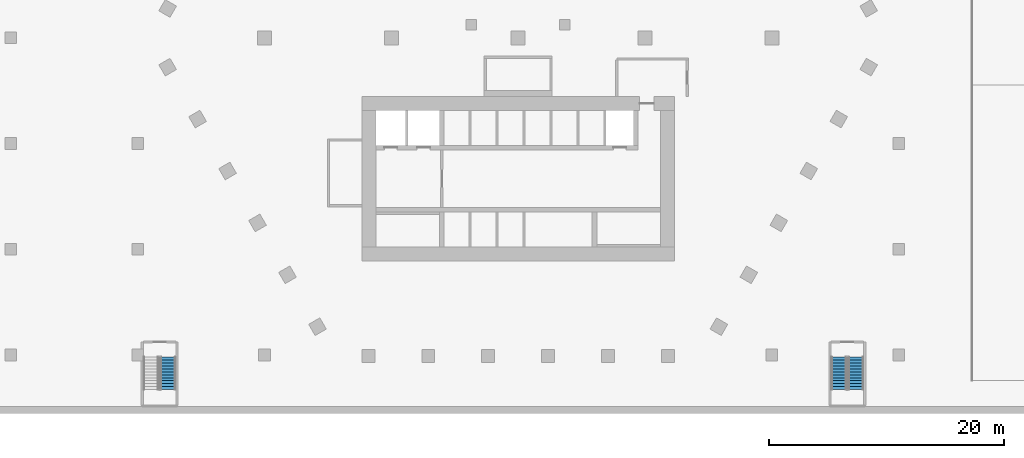
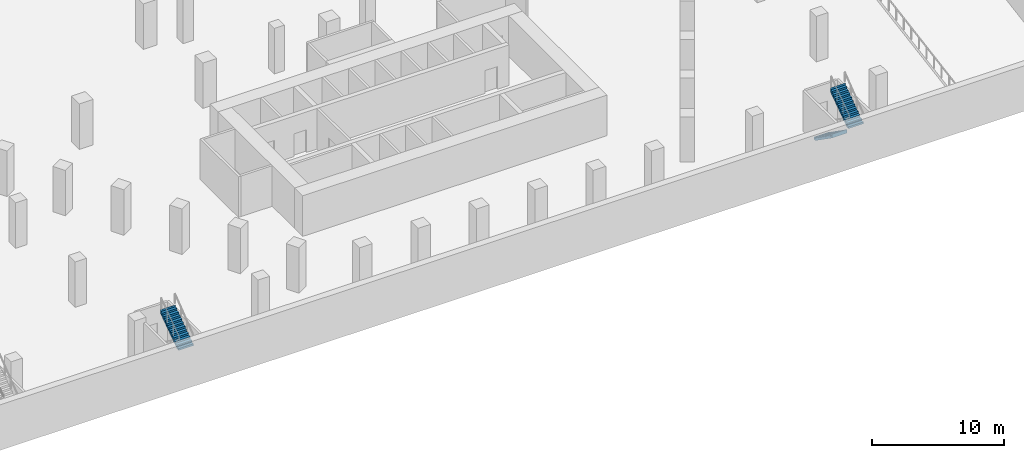
# One storey, part 12 of 20: 3 stair flights, 2 elements without a shape of their own.
"""IFC4 building model written with IfcOpenShell, lengths in metres."""

from ifc_helpers import new_model, si_unit, direction, frame, origin, place, context, subcontext, project, spatial, triangles, material, type_object, element, aggregate, save


model = new_model("IFC4")

# Units and contexts
model_context = context("Model", 3, precision=1e-05, world=origin(), true_north=direction((0.0, 1.0)))
body_context = subcontext(model_context, "Body", "Model", "MODEL_VIEW")
ifc_project = project(units=[si_unit("LENGTHUNIT", "METRE"), si_unit("AREAUNIT", "SQUARE_METRE"), si_unit("VOLUMEUNIT", "CUBIC_METRE"), si_unit("PLANEANGLEUNIT", "RADIAN"), si_unit("MASSUNIT", "GRAM", prefix="KILO")], contexts=[model_context])

# Site, building, storey
site_placement = place(None, origin())
site = spatial("IfcSite", under=ifc_project, at=site_placement, CompositionType="ELEMENT")
building_placement = place(site_placement, origin())
building = spatial("IfcBuilding", under=site, at=building_placement, Name="Beryl Residences", CompositionType="ELEMENT")
storey_placement = place(building_placement, frame((0.0, 0.0, -4.199951171875)))
storey = spatial("IfcBuildingStorey", under=building, at=storey_placement, Name="B1", CompositionType="ELEMENT", Elevation=-4.199951171875)

# Stair, stair flight
ifc_material_1 = material(Name="Concrete C40/50", Category="concrete")
stair_type = type_object("IfcStairType", Name="ST1 protected exit stair, half-turn, 1300 mm flights", PredefinedType="HALF_TURN_STAIR", material=ifc_material_1)
stair_1_placement = place(storey_placement, origin())
stair_1 = element("IfcStair", 1, at=stair_1_placement, inside=storey, type_object=stair_type, Name="B1 Basement exit stair 5", PredefinedType="HALF_TURN_STAIR")
ifc_material_2 = material(Name="Concrete C40/50", Category="concrete")
stair_flight_type = type_object("IfcStairFlightType", Name="SF1 stair flight 1300 mm", PredefinedType="STRAIGHT", material=ifc_material_2)
stair_flight_1_placement = place(storey_placement, frame((-29.800048828125, -29.949951171875, 2.099853515625), z_axis=(0.0, 0.0, 1.0), x_axis=(0.0, 1.0, 0.0)))
stair_flight_1 = element("IfcStairFlight", 2, at=stair_flight_1_placement, type_object=stair_flight_type, Name="BS-5 flight 2", NumberOfRisers=12, NumberOfTreads=11, PredefinedType="STRAIGHT", RiserHeight=0.175, TreadLength=0.25, context=body_context, shape_type="Tessellation", body=[
    triangles([(0.0, -0.64990234375, 0.0), (0.0, -0.324951171875, 0.0), (0.0, 0.0, 0.0), (0.0, 0.324951171875, 0.0), (0.0, 0.64990234375, 0.0), (0.0, -0.64990234375, 0.175048828125), (0.0, -0.324951171875, 0.175048828125), (0.0, 0.0, 0.175048828125), (0.0, 0.324951171875, 0.175048828125), (0.0, 0.64990234375, 0.175048828125), (0.25, -0.64990234375, 0.175048828125), (0.25, -0.324951171875, 0.175048828125), (0.25, 0.0, 0.175048828125), (0.25, 0.324951171875, 0.175048828125), (0.25, 0.64990234375, 0.175048828125), (0.25, -0.64990234375, 0.35009765625), (0.25, -0.324951171875, 0.35009765625), (0.25, 0.0, 0.35009765625), (0.25, 0.324951171875, 0.35009765625), (0.25, 0.64990234375, 0.35009765625), (0.5, -0.64990234375, 0.35009765625), (0.5, -0.324951171875, 0.35009765625), (0.5, 0.0, 0.35009765625), (0.5, 0.324951171875, 0.35009765625), (0.5, 0.64990234375, 0.35009765625), (0.5, -0.64990234375, 0.52490234375), (0.5, -0.324951171875, 0.52490234375), (0.5, 0.0, 0.52490234375), (0.5, 0.324951171875, 0.52490234375), (0.5, 0.64990234375, 0.52490234375), (0.75, -0.64990234375, 0.52490234375), (0.75, -0.324951171875, 0.52490234375), (0.75, 0.0, 0.52490234375), (0.75, 0.324951171875, 0.52490234375), (0.75, 0.64990234375, 0.52490234375), (0.75, -0.64990234375, 0.699951171875), (0.75, -0.324951171875, 0.699951171875), (0.75, 0.0, 0.699951171875), (0.75, 0.324951171875, 0.699951171875), (0.75, 0.64990234375, 0.699951171875), (1.0, -0.64990234375, 0.699951171875), (1.0, -0.324951171875, 0.699951171875), (1.0, 0.0, 0.699951171875), (1.0, 0.324951171875, 0.699951171875), (1.0, 0.64990234375, 0.699951171875), (1.0, -0.64990234375, 0.875), (1.0, -0.324951171875, 0.875), (1.0, 0.0, 0.875), (1.0, 0.324951171875, 0.875), (1.0, 0.64990234375, 0.875), (1.25, -0.64990234375, 0.875), (1.25, -0.324951171875, 0.875), (1.25, 0.0, 0.875), (1.25, 0.324951171875, 0.875), (1.25, 0.64990234375, 0.875), (1.25, -0.64990234375, 1.050048828125), (1.25, -0.324951171875, 1.050048828125), (1.25, 0.0, 1.050048828125), (1.25, 0.324951171875, 1.050048828125), (1.25, 0.64990234375, 1.050048828125), (1.5, -0.64990234375, 1.050048828125), (1.5, -0.324951171875, 1.050048828125), (1.5, 0.0, 1.050048828125), (1.5, 0.324951171875, 1.050048828125), (1.5, 0.64990234375, 1.050048828125), (1.5, -0.64990234375, 1.22509765625), (1.5, -0.324951171875, 1.22509765625), (1.5, 0.0, 1.22509765625), (1.5, 0.324951171875, 1.22509765625), (1.5, 0.64990234375, 1.22509765625), (1.75, -0.64990234375, 1.22509765625), (1.75, -0.324951171875, 1.22509765625), (1.75, 0.0, 1.22509765625), (1.75, 0.324951171875, 1.22509765625), (1.75, 0.64990234375, 1.22509765625), (1.75, -0.64990234375, 1.39990234375), (1.75, -0.324951171875, 1.39990234375), (1.75, 0.0, 1.39990234375), (1.75, 0.324951171875, 1.39990234375), (1.75, 0.64990234375, 1.39990234375), (2.0, -0.64990234375, 1.39990234375), (2.0, -0.324951171875, 1.39990234375), (2.0, 0.0, 1.39990234375), (2.0, 0.324951171875, 1.39990234375), (2.0, 0.64990234375, 1.39990234375), (2.0, -0.64990234375, 1.574951171875), (2.0, -0.324951171875, 1.574951171875), (2.0, 0.0, 1.574951171875), (2.0, 0.324951171875, 1.574951171875), (2.0, 0.64990234375, 1.574951171875), (2.25, -0.64990234375, 1.574951171875), (2.25, -0.324951171875, 1.574951171875), (2.25, 0.0, 1.574951171875), (2.25, 0.324951171875, 1.574951171875), (2.25, 0.64990234375, 1.574951171875), (2.25, -0.64990234375, 1.75), (2.25, -0.324951171875, 1.75), (2.25, 0.0, 1.75), (2.25, 0.324951171875, 1.75), (2.25, 0.64990234375, 1.75), (2.5, -0.64990234375, 1.75), (2.5, -0.324951171875, 1.75), (2.5, 0.0, 1.75), (2.5, 0.324951171875, 1.75), (2.5, 0.64990234375, 1.75), (2.5, -0.64990234375, 1.925048828125), (2.5, -0.324951171875, 1.925048828125), (2.5, 0.0, 1.925048828125), (2.5, 0.324951171875, 1.925048828125), (2.5, 0.64990234375, 1.925048828125), (2.75, -0.64990234375, 1.925048828125), (2.75, -0.324951171875, 1.925048828125), (2.75, 0.0, 1.925048828125), (2.75, 0.324951171875, 1.925048828125), (2.75, 0.64990234375, 1.925048828125), (2.75, -0.64990234375, 2.10009765625), (2.75, -0.324951171875, 2.10009765625), (2.75, 0.0, 2.10009765625), (2.75, 0.324951171875, 2.10009765625), (2.75, 0.64990234375, 2.10009765625), (2.7509765625, -0.64990234375, 2.10009765625), (2.7509765625, -0.324951171875, 2.10009765625), (2.7509765625, 0.0, 2.10009765625), (2.7509765625, 0.324951171875, 2.10009765625), (2.7509765625, 0.64990234375, 2.10009765625), (2.7509765625, -0.64990234375, 1.741943359375), (2.7509765625, -0.324951171875, 1.741943359375), (2.7509765625, 0.0, 1.741943359375), (2.7509765625, 0.324951171875, 1.741943359375), (2.7509765625, 0.64990234375, 1.741943359375), (0.262451171875, -0.64990234375, 0.0), (0.262451171875, -0.324951171875, 0.0), (0.262451171875, 0.0, 0.0), (0.262451171875, 0.324951171875, 0.0), (0.262451171875, 0.64990234375, 0.0)], [[1, 6, 7], [1, 7, 2], [2, 7, 8], [2, 8, 3], [3, 8, 9], [3, 9, 4], [4, 9, 10], [4, 10, 5], [6, 11, 12], [6, 12, 7], [7, 12, 13], [7, 13, 8], [8, 13, 14], [8, 14, 9], [9, 14, 15], [9, 15, 10], [11, 16, 17], [11, 17, 12], [12, 17, 18], [12, 18, 13], [13, 18, 19], [13, 19, 14], [14, 19, 20], [14, 20, 15], [16, 21, 22], [16, 22, 17], [17, 22, 23], [17, 23, 18], [18, 23, 24], [18, 24, 19], [19, 24, 25], [19, 25, 20], [21, 26, 27], [21, 27, 22], [22, 27, 28], [22, 28, 23], [23, 28, 29], [23, 29, 24], [24, 29, 30], [24, 30, 25], [26, 31, 32], [26, 32, 27], [27, 32, 33], [27, 33, 28], [28, 33, 34], [28, 34, 29], [29, 34, 35], [29, 35, 30], [31, 36, 37], [31, 37, 32], [32, 37, 38], [32, 38, 33], [33, 38, 39], [33, 39, 34], [34, 39, 40], [34, 40, 35], [36, 41, 42], [36, 42, 37], [37, 42, 43], [37, 43, 38], [38, 43, 44], [38, 44, 39], [39, 44, 45], [39, 45, 40], [41, 46, 47], [41, 47, 42], [42, 47, 48], [42, 48, 43], [43, 48, 49], [43, 49, 44], [44, 49, 50], [44, 50, 45], [46, 51, 52], [46, 52, 47], [47, 52, 53], [47, 53, 48], [48, 53, 54], [48, 54, 49], [49, 54, 55], [49, 55, 50], [51, 56, 57], [51, 57, 52], [52, 57, 58], [52, 58, 53], [53, 58, 59], [53, 59, 54], [54, 59, 60], [54, 60, 55], [56, 61, 62], [56, 62, 57], [57, 62, 63], [57, 63, 58], [58, 63, 64], [58, 64, 59], [59, 64, 65], [59, 65, 60], [61, 66, 67], [61, 67, 62], [62, 67, 68], [62, 68, 63], [63, 68, 69], [63, 69, 64], [64, 69, 70], [64, 70, 65], [66, 71, 72], [66, 72, 67], [67, 72, 73], [67, 73, 68], [68, 73, 74], [68, 74, 69], [69, 74, 75], [69, 75, 70], [71, 76, 77], [71, 77, 72], [72, 77, 78], [72, 78, 73], [73, 78, 79], [73, 79, 74], [74, 79, 80], [74, 80, 75], [76, 81, 82], [76, 82, 77], [77, 82, 83], [77, 83, 78], [78, 83, 84], [78, 84, 79], [79, 84, 85], [79, 85, 80], [81, 86, 87], [81, 87, 82], [82, 87, 88], [82, 88, 83], [83, 88, 89], [83, 89, 84], [84, 89, 90], [84, 90, 85], [86, 91, 92], [86, 92, 87], [87, 92, 93], [87, 93, 88], [88, 93, 94], [88, 94, 89], [89, 94, 95], [89, 95, 90], [91, 96, 97], [91, 97, 92], [92, 97, 98], [92, 98, 93], [93, 98, 99], [93, 99, 94], [94, 99, 100], [94, 100, 95], [96, 101, 102], [96, 102, 97], [97, 102, 103], [97, 103, 98], [98, 103, 104], [98, 104, 99], [99, 104, 105], [99, 105, 100], [101, 106, 107], [101, 107, 102], [102, 107, 108], [102, 108, 103], [103, 108, 109], [103, 109, 104], [104, 109, 110], [104, 110, 105], [106, 111, 112], [106, 112, 107], [107, 112, 113], [107, 113, 108], [108, 113, 114], [108, 114, 109], [109, 114, 115], [109, 115, 110], [111, 116, 117], [111, 117, 112], [112, 117, 118], [112, 118, 113], [113, 118, 119], [113, 119, 114], [114, 119, 120], [114, 120, 115], [116, 121, 122], [116, 122, 117], [117, 122, 123], [117, 123, 118], [118, 123, 124], [118, 124, 119], [119, 124, 125], [119, 125, 120], [121, 126, 127], [121, 127, 122], [122, 127, 128], [122, 128, 123], [123, 128, 129], [123, 129, 124], [124, 129, 130], [124, 130, 125], [126, 131, 132], [126, 132, 127], [127, 132, 133], [127, 133, 128], [128, 133, 134], [128, 134, 129], [129, 134, 135], [129, 135, 130], [131, 1, 2], [131, 2, 132], [132, 2, 3], [132, 3, 133], [133, 3, 4], [133, 4, 134], [134, 4, 5], [134, 5, 135], [1, 131, 126], [5, 130, 135], [126, 121, 116], [130, 120, 125], [126, 116, 111], [130, 115, 120], [126, 111, 106], [130, 110, 115], [126, 106, 101], [130, 105, 110], [126, 101, 96], [130, 100, 105], [126, 96, 91], [130, 95, 100], [91, 86, 81], [95, 85, 90], [126, 91, 81], [130, 85, 95], [81, 76, 71], [85, 75, 80], [126, 81, 71], [130, 75, 85], [71, 66, 61], [75, 65, 70], [126, 71, 61], [130, 65, 75], [61, 56, 51], [65, 55, 60], [126, 61, 51], [130, 55, 65], [51, 46, 41], [55, 45, 50], [126, 51, 41], [130, 45, 55], [41, 36, 31], [45, 35, 40], [126, 41, 31], [130, 35, 45], [1, 126, 31], [5, 35, 130], [31, 26, 21], [35, 25, 30], [21, 16, 11], [25, 15, 20], [31, 21, 11], [35, 15, 25], [1, 31, 11], [5, 15, 35], [11, 6, 1], [15, 5, 10]], closed=True),
])
aggregate(stair_1, [stair_flight_1])

# Stair, stair flights
stair_2_placement = place(storey_placement, origin())
stair_2 = element("IfcStair", 3, at=stair_2_placement, inside=storey, type_object=stair_type, Name="B1 Basement exit stair 6", PredefinedType="HALF_TURN_STAIR")
stair_flight_2_placement = place(storey_placement, frame((27.300048828125, -27.199951171875, 0.0), z_axis=(0.0, 0.0, 1.0), x_axis=(0.0, -1.0, 0.0)))
stair_flight_2 = element("IfcStairFlight", 4, at=stair_flight_2_placement, type_object=stair_flight_type, Name="BS-6 flight 1", NumberOfRisers=12, NumberOfTreads=11, PredefinedType="STRAIGHT", RiserHeight=0.175, TreadLength=0.25, context=body_context, shape_type="Tessellation", body=[
    triangles([(0.0, -0.64990234375, 0.0), (0.0, -0.324951171875, 0.0), (0.0, 0.0, 0.0), (0.0, 0.324951171875, 0.0), (0.0, 0.64990234375, 0.0), (0.0, -0.64990234375, 0.175048828125), (0.0, -0.324951171875, 0.175048828125), (0.0, 0.0, 0.175048828125), (0.0, 0.324951171875, 0.175048828125), (0.0, 0.64990234375, 0.175048828125), (0.25, -0.64990234375, 0.175048828125), (0.25, -0.324951171875, 0.175048828125), (0.25, 0.0, 0.175048828125), (0.25, 0.324951171875, 0.175048828125), (0.25, 0.64990234375, 0.175048828125), (0.25, -0.64990234375, 0.35009765625), (0.25, -0.324951171875, 0.35009765625), (0.25, 0.0, 0.35009765625), (0.25, 0.324951171875, 0.35009765625), (0.25, 0.64990234375, 0.35009765625), (0.5, -0.64990234375, 0.35009765625), (0.5, -0.324951171875, 0.35009765625), (0.5, 0.0, 0.35009765625), (0.5, 0.324951171875, 0.35009765625), (0.5, 0.64990234375, 0.35009765625), (0.5, -0.64990234375, 0.52490234375), (0.5, -0.324951171875, 0.52490234375), (0.5, 0.0, 0.52490234375), (0.5, 0.324951171875, 0.52490234375), (0.5, 0.64990234375, 0.52490234375), (0.75, -0.64990234375, 0.52490234375), (0.75, -0.324951171875, 0.52490234375), (0.75, 0.0, 0.52490234375), (0.75, 0.324951171875, 0.52490234375), (0.75, 0.64990234375, 0.52490234375), (0.75, -0.64990234375, 0.699951171875), (0.75, -0.324951171875, 0.699951171875), (0.75, 0.0, 0.699951171875), (0.75, 0.324951171875, 0.699951171875), (0.75, 0.64990234375, 0.699951171875), (1.0, -0.64990234375, 0.699951171875), (1.0, -0.324951171875, 0.699951171875), (1.0, 0.0, 0.699951171875), (1.0, 0.324951171875, 0.699951171875), (1.0, 0.64990234375, 0.699951171875), (1.0, -0.64990234375, 0.875), (1.0, -0.324951171875, 0.875), (1.0, 0.0, 0.875), (1.0, 0.324951171875, 0.875), (1.0, 0.64990234375, 0.875), (1.25, -0.64990234375, 0.875), (1.25, -0.324951171875, 0.875), (1.25, 0.0, 0.875), (1.25, 0.324951171875, 0.875), (1.25, 0.64990234375, 0.875), (1.25, -0.64990234375, 1.050048828125), (1.25, -0.324951171875, 1.050048828125), (1.25, 0.0, 1.050048828125), (1.25, 0.324951171875, 1.050048828125), (1.25, 0.64990234375, 1.050048828125), (1.5, -0.64990234375, 1.050048828125), (1.5, -0.324951171875, 1.050048828125), (1.5, 0.0, 1.050048828125), (1.5, 0.324951171875, 1.050048828125), (1.5, 0.64990234375, 1.050048828125), (1.5, -0.64990234375, 1.22509765625), (1.5, -0.324951171875, 1.22509765625), (1.5, 0.0, 1.22509765625), (1.5, 0.324951171875, 1.22509765625), (1.5, 0.64990234375, 1.22509765625), (1.75, -0.64990234375, 1.22509765625), (1.75, -0.324951171875, 1.22509765625), (1.75, 0.0, 1.22509765625), (1.75, 0.324951171875, 1.22509765625), (1.75, 0.64990234375, 1.22509765625), (1.75, -0.64990234375, 1.39990234375), (1.75, -0.324951171875, 1.39990234375), (1.75, 0.0, 1.39990234375), (1.75, 0.324951171875, 1.39990234375), (1.75, 0.64990234375, 1.39990234375), (2.0, -0.64990234375, 1.39990234375), (2.0, -0.324951171875, 1.39990234375), (2.0, 0.0, 1.39990234375), (2.0, 0.324951171875, 1.39990234375), (2.0, 0.64990234375, 1.39990234375), (2.0, -0.64990234375, 1.574951171875), (2.0, -0.324951171875, 1.574951171875), (2.0, 0.0, 1.574951171875), (2.0, 0.324951171875, 1.574951171875), (2.0, 0.64990234375, 1.574951171875), (2.25, -0.64990234375, 1.574951171875), (2.25, -0.324951171875, 1.574951171875), (2.25, 0.0, 1.574951171875), (2.25, 0.324951171875, 1.574951171875), (2.25, 0.64990234375, 1.574951171875), (2.25, -0.64990234375, 1.75), (2.25, -0.324951171875, 1.75), (2.25, 0.0, 1.75), (2.25, 0.324951171875, 1.75), (2.25, 0.64990234375, 1.75), (2.5, -0.64990234375, 1.75), (2.5, -0.324951171875, 1.75), (2.5, 0.0, 1.75), (2.5, 0.324951171875, 1.75), (2.5, 0.64990234375, 1.75), (2.5, -0.64990234375, 1.925048828125), (2.5, -0.324951171875, 1.925048828125), (2.5, 0.0, 1.925048828125), (2.5, 0.324951171875, 1.925048828125), (2.5, 0.64990234375, 1.925048828125), (2.75, -0.64990234375, 1.925048828125), (2.75, -0.324951171875, 1.925048828125), (2.75, 0.0, 1.925048828125), (2.75, 0.324951171875, 1.925048828125), (2.75, 0.64990234375, 1.925048828125), (2.75, -0.64990234375, 2.10009765625), (2.75, -0.324951171875, 2.10009765625), (2.75, 0.0, 2.10009765625), (2.75, 0.324951171875, 2.10009765625), (2.75, 0.64990234375, 2.10009765625), (2.7509765625, -0.64990234375, 2.10009765625), (2.7509765625, -0.324951171875, 2.10009765625), (2.7509765625, 0.0, 2.10009765625), (2.7509765625, 0.324951171875, 2.10009765625), (2.7509765625, 0.64990234375, 2.10009765625), (2.7509765625, -0.64990234375, 1.741943359375), (2.7509765625, -0.324951171875, 1.741943359375), (2.7509765625, 0.0, 1.741943359375), (2.7509765625, 0.324951171875, 1.741943359375), (2.7509765625, 0.64990234375, 1.741943359375), (0.262451171875, -0.64990234375, 0.0), (0.262451171875, -0.324951171875, 0.0), (0.262451171875, 0.0, 0.0), (0.262451171875, 0.324951171875, 0.0), (0.262451171875, 0.64990234375, 0.0)], [[1, 6, 7], [1, 7, 2], [2, 7, 8], [2, 8, 3], [3, 8, 9], [3, 9, 4], [4, 9, 10], [4, 10, 5], [6, 11, 12], [6, 12, 7], [7, 12, 13], [7, 13, 8], [8, 13, 14], [8, 14, 9], [9, 14, 15], [9, 15, 10], [11, 16, 17], [11, 17, 12], [12, 17, 18], [12, 18, 13], [13, 18, 19], [13, 19, 14], [14, 19, 20], [14, 20, 15], [16, 21, 22], [16, 22, 17], [17, 22, 23], [17, 23, 18], [18, 23, 24], [18, 24, 19], [19, 24, 25], [19, 25, 20], [21, 26, 27], [21, 27, 22], [22, 27, 28], [22, 28, 23], [23, 28, 29], [23, 29, 24], [24, 29, 30], [24, 30, 25], [26, 31, 32], [26, 32, 27], [27, 32, 33], [27, 33, 28], [28, 33, 34], [28, 34, 29], [29, 34, 35], [29, 35, 30], [31, 36, 37], [31, 37, 32], [32, 37, 38], [32, 38, 33], [33, 38, 39], [33, 39, 34], [34, 39, 40], [34, 40, 35], [36, 41, 42], [36, 42, 37], [37, 42, 43], [37, 43, 38], [38, 43, 44], [38, 44, 39], [39, 44, 45], [39, 45, 40], [41, 46, 47], [41, 47, 42], [42, 47, 48], [42, 48, 43], [43, 48, 49], [43, 49, 44], [44, 49, 50], [44, 50, 45], [46, 51, 52], [46, 52, 47], [47, 52, 53], [47, 53, 48], [48, 53, 54], [48, 54, 49], [49, 54, 55], [49, 55, 50], [51, 56, 57], [51, 57, 52], [52, 57, 58], [52, 58, 53], [53, 58, 59], [53, 59, 54], [54, 59, 60], [54, 60, 55], [56, 61, 62], [56, 62, 57], [57, 62, 63], [57, 63, 58], [58, 63, 64], [58, 64, 59], [59, 64, 65], [59, 65, 60], [61, 66, 67], [61, 67, 62], [62, 67, 68], [62, 68, 63], [63, 68, 69], [63, 69, 64], [64, 69, 70], [64, 70, 65], [66, 71, 72], [66, 72, 67], [67, 72, 73], [67, 73, 68], [68, 73, 74], [68, 74, 69], [69, 74, 75], [69, 75, 70], [71, 76, 77], [71, 77, 72], [72, 77, 78], [72, 78, 73], [73, 78, 79], [73, 79, 74], [74, 79, 80], [74, 80, 75], [76, 81, 82], [76, 82, 77], [77, 82, 83], [77, 83, 78], [78, 83, 84], [78, 84, 79], [79, 84, 85], [79, 85, 80], [81, 86, 87], [81, 87, 82], [82, 87, 88], [82, 88, 83], [83, 88, 89], [83, 89, 84], [84, 89, 90], [84, 90, 85], [86, 91, 92], [86, 92, 87], [87, 92, 93], [87, 93, 88], [88, 93, 94], [88, 94, 89], [89, 94, 95], [89, 95, 90], [91, 96, 97], [91, 97, 92], [92, 97, 98], [92, 98, 93], [93, 98, 99], [93, 99, 94], [94, 99, 100], [94, 100, 95], [96, 101, 102], [96, 102, 97], [97, 102, 103], [97, 103, 98], [98, 103, 104], [98, 104, 99], [99, 104, 105], [99, 105, 100], [101, 106, 107], [101, 107, 102], [102, 107, 108], [102, 108, 103], [103, 108, 109], [103, 109, 104], [104, 109, 110], [104, 110, 105], [106, 111, 112], [106, 112, 107], [107, 112, 113], [107, 113, 108], [108, 113, 114], [108, 114, 109], [109, 114, 115], [109, 115, 110], [111, 116, 117], [111, 117, 112], [112, 117, 118], [112, 118, 113], [113, 118, 119], [113, 119, 114], [114, 119, 120], [114, 120, 115], [116, 121, 122], [116, 122, 117], [117, 122, 123], [117, 123, 118], [118, 123, 124], [118, 124, 119], [119, 124, 125], [119, 125, 120], [121, 126, 127], [121, 127, 122], [122, 127, 128], [122, 128, 123], [123, 128, 129], [123, 129, 124], [124, 129, 130], [124, 130, 125], [126, 131, 132], [126, 132, 127], [127, 132, 133], [127, 133, 128], [128, 133, 134], [128, 134, 129], [129, 134, 135], [129, 135, 130], [131, 1, 2], [131, 2, 132], [132, 2, 3], [132, 3, 133], [133, 3, 4], [133, 4, 134], [134, 4, 5], [134, 5, 135], [1, 131, 126], [5, 130, 135], [126, 121, 116], [130, 120, 125], [126, 116, 111], [130, 115, 120], [126, 111, 106], [130, 110, 115], [126, 106, 101], [130, 105, 110], [126, 101, 96], [130, 100, 105], [126, 96, 91], [130, 95, 100], [91, 86, 81], [95, 85, 90], [126, 91, 81], [130, 85, 95], [81, 76, 71], [85, 75, 80], [126, 81, 71], [130, 75, 85], [71, 66, 61], [75, 65, 70], [126, 71, 61], [130, 65, 75], [61, 56, 51], [65, 55, 60], [126, 61, 51], [130, 55, 65], [51, 46, 41], [55, 45, 50], [126, 51, 41], [130, 45, 55], [41, 36, 31], [45, 35, 40], [126, 41, 31], [130, 35, 45], [1, 126, 31], [5, 35, 130], [31, 26, 21], [35, 25, 30], [21, 16, 11], [25, 15, 20], [31, 21, 11], [35, 15, 25], [1, 31, 11], [5, 15, 35], [11, 6, 1], [15, 5, 10]], closed=True),
])
stair_flight_3_placement = place(storey_placement, frame((28.75, -29.949951171875, 2.099853515625), z_axis=(0.0, 0.0, 1.0), x_axis=(0.0, 1.0, 0.0)))
stair_flight_3 = element("IfcStairFlight", 5, at=stair_flight_3_placement, type_object=stair_flight_type, Name="BS-6 flight 2", NumberOfRisers=12, NumberOfTreads=11, PredefinedType="STRAIGHT", RiserHeight=0.175, TreadLength=0.25, context=body_context, shape_type="Tessellation", body=[
    triangles([(0.0, -0.64990234375, 0.0), (0.0, -0.324951171875, 0.0), (0.0, 0.0, 0.0), (0.0, 0.324951171875, 0.0), (0.0, 0.64990234375, 0.0), (0.0, -0.64990234375, 0.175048828125), (0.0, -0.324951171875, 0.175048828125), (0.0, 0.0, 0.175048828125), (0.0, 0.324951171875, 0.175048828125), (0.0, 0.64990234375, 0.175048828125), (0.25, -0.64990234375, 0.175048828125), (0.25, -0.324951171875, 0.175048828125), (0.25, 0.0, 0.175048828125), (0.25, 0.324951171875, 0.175048828125), (0.25, 0.64990234375, 0.175048828125), (0.25, -0.64990234375, 0.35009765625), (0.25, -0.324951171875, 0.35009765625), (0.25, 0.0, 0.35009765625), (0.25, 0.324951171875, 0.35009765625), (0.25, 0.64990234375, 0.35009765625), (0.5, -0.64990234375, 0.35009765625), (0.5, -0.324951171875, 0.35009765625), (0.5, 0.0, 0.35009765625), (0.5, 0.324951171875, 0.35009765625), (0.5, 0.64990234375, 0.35009765625), (0.5, -0.64990234375, 0.52490234375), (0.5, -0.324951171875, 0.52490234375), (0.5, 0.0, 0.52490234375), (0.5, 0.324951171875, 0.52490234375), (0.5, 0.64990234375, 0.52490234375), (0.75, -0.64990234375, 0.52490234375), (0.75, -0.324951171875, 0.52490234375), (0.75, 0.0, 0.52490234375), (0.75, 0.324951171875, 0.52490234375), (0.75, 0.64990234375, 0.52490234375), (0.75, -0.64990234375, 0.699951171875), (0.75, -0.324951171875, 0.699951171875), (0.75, 0.0, 0.699951171875), (0.75, 0.324951171875, 0.699951171875), (0.75, 0.64990234375, 0.699951171875), (1.0, -0.64990234375, 0.699951171875), (1.0, -0.324951171875, 0.699951171875), (1.0, 0.0, 0.699951171875), (1.0, 0.324951171875, 0.699951171875), (1.0, 0.64990234375, 0.699951171875), (1.0, -0.64990234375, 0.875), (1.0, -0.324951171875, 0.875), (1.0, 0.0, 0.875), (1.0, 0.324951171875, 0.875), (1.0, 0.64990234375, 0.875), (1.25, -0.64990234375, 0.875), (1.25, -0.324951171875, 0.875), (1.25, 0.0, 0.875), (1.25, 0.324951171875, 0.875), (1.25, 0.64990234375, 0.875), (1.25, -0.64990234375, 1.050048828125), (1.25, -0.324951171875, 1.050048828125), (1.25, 0.0, 1.050048828125), (1.25, 0.324951171875, 1.050048828125), (1.25, 0.64990234375, 1.050048828125), (1.5, -0.64990234375, 1.050048828125), (1.5, -0.324951171875, 1.050048828125), (1.5, 0.0, 1.050048828125), (1.5, 0.324951171875, 1.050048828125), (1.5, 0.64990234375, 1.050048828125), (1.5, -0.64990234375, 1.22509765625), (1.5, -0.324951171875, 1.22509765625), (1.5, 0.0, 1.22509765625), (1.5, 0.324951171875, 1.22509765625), (1.5, 0.64990234375, 1.22509765625), (1.75, -0.64990234375, 1.22509765625), (1.75, -0.324951171875, 1.22509765625), (1.75, 0.0, 1.22509765625), (1.75, 0.324951171875, 1.22509765625), (1.75, 0.64990234375, 1.22509765625), (1.75, -0.64990234375, 1.39990234375), (1.75, -0.324951171875, 1.39990234375), (1.75, 0.0, 1.39990234375), (1.75, 0.324951171875, 1.39990234375), (1.75, 0.64990234375, 1.39990234375), (2.0, -0.64990234375, 1.39990234375), (2.0, -0.324951171875, 1.39990234375), (2.0, 0.0, 1.39990234375), (2.0, 0.324951171875, 1.39990234375), (2.0, 0.64990234375, 1.39990234375), (2.0, -0.64990234375, 1.574951171875), (2.0, -0.324951171875, 1.574951171875), (2.0, 0.0, 1.574951171875), (2.0, 0.324951171875, 1.574951171875), (2.0, 0.64990234375, 1.574951171875), (2.25, -0.64990234375, 1.574951171875), (2.25, -0.324951171875, 1.574951171875), (2.25, 0.0, 1.574951171875), (2.25, 0.324951171875, 1.574951171875), (2.25, 0.64990234375, 1.574951171875), (2.25, -0.64990234375, 1.75), (2.25, -0.324951171875, 1.75), (2.25, 0.0, 1.75), (2.25, 0.324951171875, 1.75), (2.25, 0.64990234375, 1.75), (2.5, -0.64990234375, 1.75), (2.5, -0.324951171875, 1.75), (2.5, 0.0, 1.75), (2.5, 0.324951171875, 1.75), (2.5, 0.64990234375, 1.75), (2.5, -0.64990234375, 1.925048828125), (2.5, -0.324951171875, 1.925048828125), (2.5, 0.0, 1.925048828125), (2.5, 0.324951171875, 1.925048828125), (2.5, 0.64990234375, 1.925048828125), (2.75, -0.64990234375, 1.925048828125), (2.75, -0.324951171875, 1.925048828125), (2.75, 0.0, 1.925048828125), (2.75, 0.324951171875, 1.925048828125), (2.75, 0.64990234375, 1.925048828125), (2.75, -0.64990234375, 2.10009765625), (2.75, -0.324951171875, 2.10009765625), (2.75, 0.0, 2.10009765625), (2.75, 0.324951171875, 2.10009765625), (2.75, 0.64990234375, 2.10009765625), (2.7509765625, -0.64990234375, 2.10009765625), (2.7509765625, -0.324951171875, 2.10009765625), (2.7509765625, 0.0, 2.10009765625), (2.7509765625, 0.324951171875, 2.10009765625), (2.7509765625, 0.64990234375, 2.10009765625), (2.7509765625, -0.64990234375, 1.741943359375), (2.7509765625, -0.324951171875, 1.741943359375), (2.7509765625, 0.0, 1.741943359375), (2.7509765625, 0.324951171875, 1.741943359375), (2.7509765625, 0.64990234375, 1.741943359375), (0.262451171875, -0.64990234375, 0.0), (0.262451171875, -0.324951171875, 0.0), (0.262451171875, 0.0, 0.0), (0.262451171875, 0.324951171875, 0.0), (0.262451171875, 0.64990234375, 0.0)], [[1, 6, 7], [1, 7, 2], [2, 7, 8], [2, 8, 3], [3, 8, 9], [3, 9, 4], [4, 9, 10], [4, 10, 5], [6, 11, 12], [6, 12, 7], [7, 12, 13], [7, 13, 8], [8, 13, 14], [8, 14, 9], [9, 14, 15], [9, 15, 10], [11, 16, 17], [11, 17, 12], [12, 17, 18], [12, 18, 13], [13, 18, 19], [13, 19, 14], [14, 19, 20], [14, 20, 15], [16, 21, 22], [16, 22, 17], [17, 22, 23], [17, 23, 18], [18, 23, 24], [18, 24, 19], [19, 24, 25], [19, 25, 20], [21, 26, 27], [21, 27, 22], [22, 27, 28], [22, 28, 23], [23, 28, 29], [23, 29, 24], [24, 29, 30], [24, 30, 25], [26, 31, 32], [26, 32, 27], [27, 32, 33], [27, 33, 28], [28, 33, 34], [28, 34, 29], [29, 34, 35], [29, 35, 30], [31, 36, 37], [31, 37, 32], [32, 37, 38], [32, 38, 33], [33, 38, 39], [33, 39, 34], [34, 39, 40], [34, 40, 35], [36, 41, 42], [36, 42, 37], [37, 42, 43], [37, 43, 38], [38, 43, 44], [38, 44, 39], [39, 44, 45], [39, 45, 40], [41, 46, 47], [41, 47, 42], [42, 47, 48], [42, 48, 43], [43, 48, 49], [43, 49, 44], [44, 49, 50], [44, 50, 45], [46, 51, 52], [46, 52, 47], [47, 52, 53], [47, 53, 48], [48, 53, 54], [48, 54, 49], [49, 54, 55], [49, 55, 50], [51, 56, 57], [51, 57, 52], [52, 57, 58], [52, 58, 53], [53, 58, 59], [53, 59, 54], [54, 59, 60], [54, 60, 55], [56, 61, 62], [56, 62, 57], [57, 62, 63], [57, 63, 58], [58, 63, 64], [58, 64, 59], [59, 64, 65], [59, 65, 60], [61, 66, 67], [61, 67, 62], [62, 67, 68], [62, 68, 63], [63, 68, 69], [63, 69, 64], [64, 69, 70], [64, 70, 65], [66, 71, 72], [66, 72, 67], [67, 72, 73], [67, 73, 68], [68, 73, 74], [68, 74, 69], [69, 74, 75], [69, 75, 70], [71, 76, 77], [71, 77, 72], [72, 77, 78], [72, 78, 73], [73, 78, 79], [73, 79, 74], [74, 79, 80], [74, 80, 75], [76, 81, 82], [76, 82, 77], [77, 82, 83], [77, 83, 78], [78, 83, 84], [78, 84, 79], [79, 84, 85], [79, 85, 80], [81, 86, 87], [81, 87, 82], [82, 87, 88], [82, 88, 83], [83, 88, 89], [83, 89, 84], [84, 89, 90], [84, 90, 85], [86, 91, 92], [86, 92, 87], [87, 92, 93], [87, 93, 88], [88, 93, 94], [88, 94, 89], [89, 94, 95], [89, 95, 90], [91, 96, 97], [91, 97, 92], [92, 97, 98], [92, 98, 93], [93, 98, 99], [93, 99, 94], [94, 99, 100], [94, 100, 95], [96, 101, 102], [96, 102, 97], [97, 102, 103], [97, 103, 98], [98, 103, 104], [98, 104, 99], [99, 104, 105], [99, 105, 100], [101, 106, 107], [101, 107, 102], [102, 107, 108], [102, 108, 103], [103, 108, 109], [103, 109, 104], [104, 109, 110], [104, 110, 105], [106, 111, 112], [106, 112, 107], [107, 112, 113], [107, 113, 108], [108, 113, 114], [108, 114, 109], [109, 114, 115], [109, 115, 110], [111, 116, 117], [111, 117, 112], [112, 117, 118], [112, 118, 113], [113, 118, 119], [113, 119, 114], [114, 119, 120], [114, 120, 115], [116, 121, 122], [116, 122, 117], [117, 122, 123], [117, 123, 118], [118, 123, 124], [118, 124, 119], [119, 124, 125], [119, 125, 120], [121, 126, 127], [121, 127, 122], [122, 127, 128], [122, 128, 123], [123, 128, 129], [123, 129, 124], [124, 129, 130], [124, 130, 125], [126, 131, 132], [126, 132, 127], [127, 132, 133], [127, 133, 128], [128, 133, 134], [128, 134, 129], [129, 134, 135], [129, 135, 130], [131, 1, 2], [131, 2, 132], [132, 2, 3], [132, 3, 133], [133, 3, 4], [133, 4, 134], [134, 4, 5], [134, 5, 135], [1, 131, 126], [5, 130, 135], [126, 121, 116], [130, 120, 125], [126, 116, 111], [130, 115, 120], [126, 111, 106], [130, 110, 115], [126, 106, 101], [130, 105, 110], [126, 101, 96], [130, 100, 105], [126, 96, 91], [130, 95, 100], [91, 86, 81], [95, 85, 90], [126, 91, 81], [130, 85, 95], [81, 76, 71], [85, 75, 80], [126, 81, 71], [130, 75, 85], [71, 66, 61], [75, 65, 70], [126, 71, 61], [130, 65, 75], [61, 56, 51], [65, 55, 60], [126, 61, 51], [130, 55, 65], [51, 46, 41], [55, 45, 50], [126, 51, 41], [130, 45, 55], [41, 36, 31], [45, 35, 40], [126, 41, 31], [130, 35, 45], [1, 126, 31], [5, 35, 130], [31, 26, 21], [35, 25, 30], [21, 16, 11], [25, 15, 20], [31, 21, 11], [35, 15, 25], [1, 31, 11], [5, 15, 35], [11, 6, 1], [15, 5, 10]], closed=True),
])
aggregate(stair_2, [stair_flight_2, stair_flight_3])

save(model, "model.ifc")
